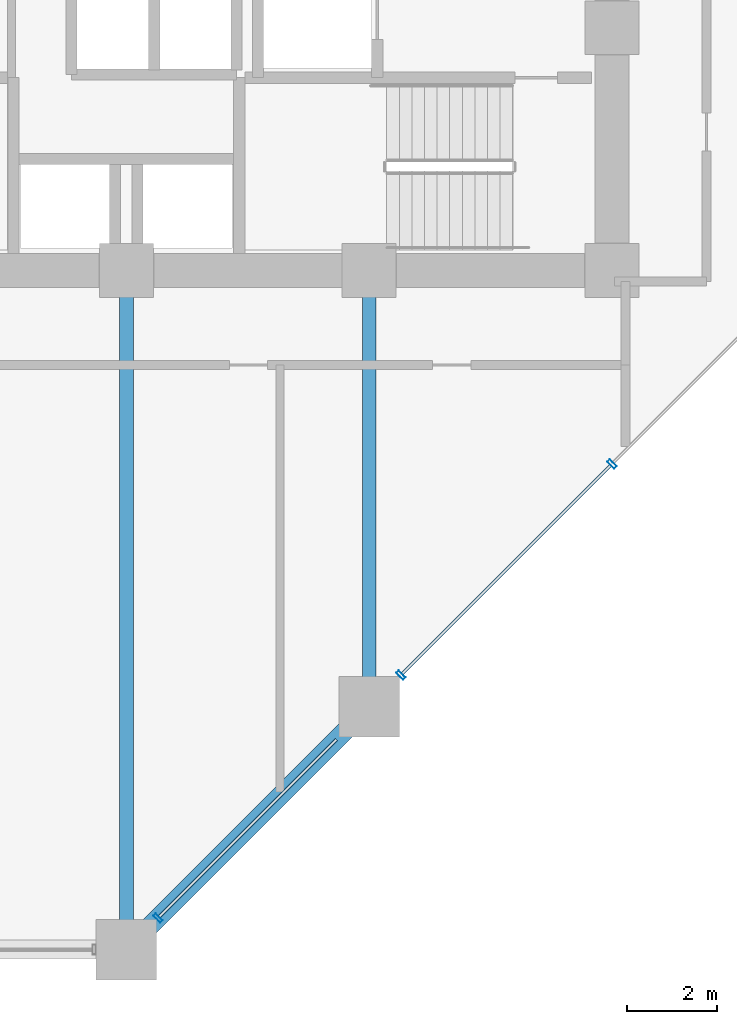
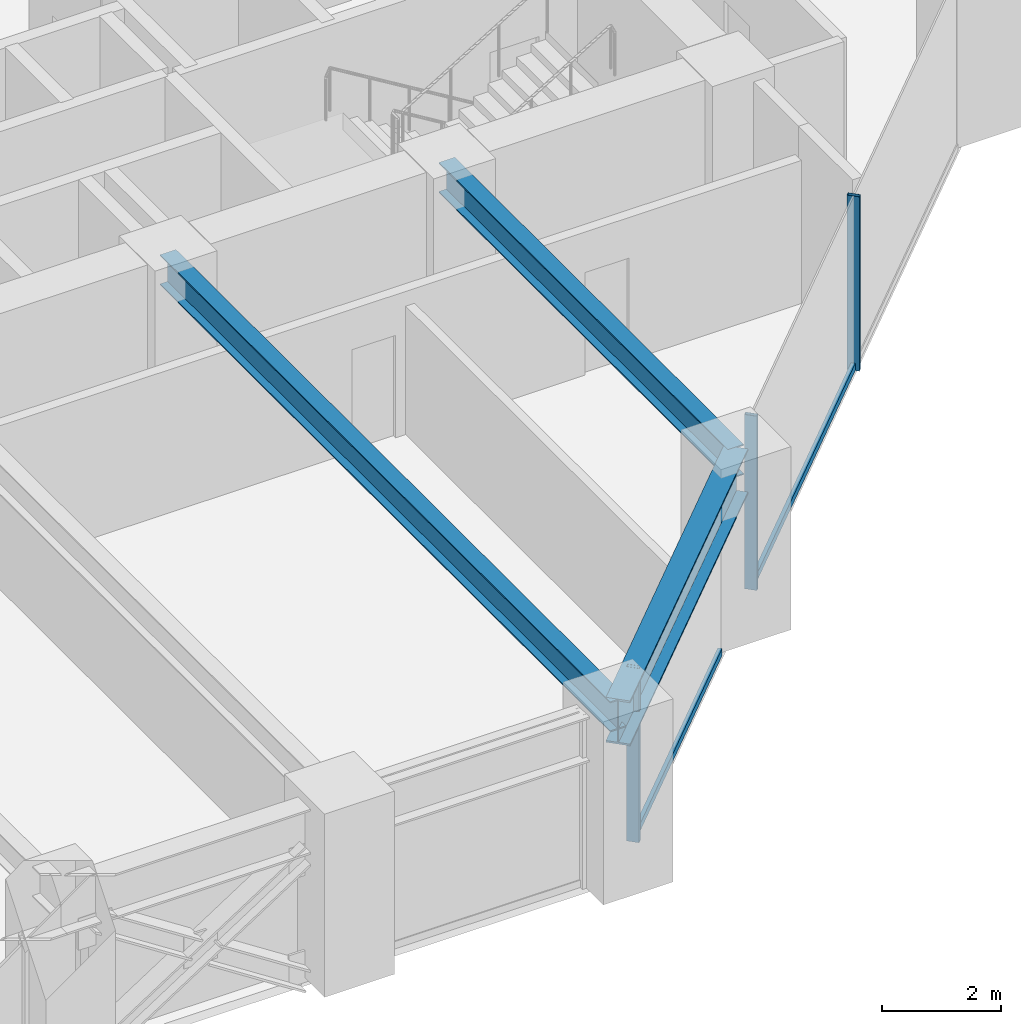
# One storey, part 7 of 24: 5 members, 3 beams, 1 element without a shape of its own.
"""IFC4 building model written with IfcOpenShell, lengths in metres."""

from ifc_helpers import new_model, si_unit, direction, frame, origin, origin_2d, place, context, subcontext, project, spatial, hollow_rectangle, i_section, extrude, material, layer, layer_set, material_profile, profile_set, type_object, element, aggregate, save


model = new_model("IFC4")

# Units and contexts
model_context = context("Model", 3, precision=1e-05, world=origin(), true_north=direction((0.0, 1.0)))
body_context = subcontext(model_context, "Body", "Model", "MODEL_VIEW")
ifc_project = project(units=[si_unit("LENGTHUNIT", "METRE"), si_unit("AREAUNIT", "SQUARE_METRE"), si_unit("VOLUMEUNIT", "CUBIC_METRE"), si_unit("PLANEANGLEUNIT", "RADIAN"), si_unit("MASSUNIT", "GRAM", prefix="KILO")], contexts=[model_context])

# Site, building, storey
site_placement = place(None, origin())
site = spatial("IfcSite", under=ifc_project, at=site_placement, CompositionType="ELEMENT")
building_placement = place(site_placement, origin())
building = spatial("IfcBuilding", under=site, at=building_placement, Name="Surkhivell Harbour Commons", CompositionType="ELEMENT")
storey_placement = place(building_placement, frame((0.0, 0.0, 30.0)))
storey = spatial("IfcBuildingStorey", under=building, at=storey_placement, Name="L07", CompositionType="ELEMENT", Elevation=30.0)

# Beams
ifc_material_1 = material(Name="Steel S355", Category="steel")
ifc_material_profile_1 = material_profile(ifc_material_1, i_section(OverallWidth=0.306884765625, OverallDepth=0.6201171875, WebThickness=0.01416015625, FlangeThickness=0.023681640625, at=origin_2d()), Name="UB610x305x179")
ifc_profile_set_1 = profile_set([ifc_material_profile_1], Name="Steel S355")
beam_type_1 = type_object("IfcBeamType", Name="BM-GRD-610A", PredefinedType="BEAM", material=ifc_profile_set_1)
beam_1_placement = place(storey_placement, frame((0.0, -25.89990234375, 3.260009765625), z_axis=(0.0, 1.0, 0.0), x_axis=(-1.0, 0.0, 0.0)))
element("IfcBeam", 1, at=beam_1_placement, inside=storey, type_object=beam_type_1, Name="L07 Floor Girder (0.0,-25.9)", PredefinedType="BEAM", context=body_context, shape_type="SweptSolid", body=[
    extrude(i_section(OverallWidth=0.306884765625, OverallDepth=0.6201171875, WebThickness=0.01416015625, FlangeThickness=0.023681640625, at=origin_2d()), origin(), (0.0, 0.0, 1.0), 15.099853515625),
])
beam_2_placement = place(storey_placement, frame((5.39990234375, -20.5, 3.260009765625), z_axis=(0.0, 1.0, 0.0), x_axis=(-1.0, 0.0, 0.0)))
element("IfcBeam", 2, at=beam_2_placement, inside=storey, type_object=beam_type_1, Name="L07 Floor Girder (5.4,-20.5)", PredefinedType="BEAM", context=body_context, shape_type="SweptSolid", body=[
    extrude(i_section(OverallWidth=0.306884765625, OverallDepth=0.6201171875, WebThickness=0.01416015625, FlangeThickness=0.023681640625, at=origin_2d()), origin(), (0.0, 0.0, 1.0), 9.699951171875),
])
ifc_material_2 = material(Name="Steel S460", Category="steel")
ifc_material_profile_2 = material_profile(ifc_material_2, i_section(OverallWidth=0.419921875, OverallDepth=0.9208984375, WebThickness=0.021484375, FlangeThickness=0.03662109375, at=origin_2d()), Name="UB914x419x388")
ifc_profile_set_2 = profile_set([ifc_material_profile_2], Name="Steel S460")
beam_type_2 = type_object("IfcBeamType", Name="BM-SPN-914A", PredefinedType="SPANDREL", material=ifc_profile_set_2)
beam_3_placement = place(storey_placement, frame((0.0, -25.89990234375, 3.109619140625), z_axis=(0.707106781187, 0.707106781187, 0.0), x_axis=(-0.707106781187, 0.707106781187, 0.0)))
element("IfcBeam", 3, at=beam_3_placement, inside=storey, type_object=beam_type_2, Name="L07 Tube Spandrel (-0.0,-25.9)", PredefinedType="SPANDREL", context=body_context, shape_type="SweptSolid", body=[
    extrude(i_section(OverallWidth=0.419921875, OverallDepth=0.9208984375, WebThickness=0.021484375, FlangeThickness=0.03662109375, at=origin_2d()), origin(), (0.0, 0.0, 1.0), 7.63671875),
])

# Curtain wall, members
ifc_material_3 = material(Name="Anodised pale-metal aluminium and insulated glazing", Category="aluminium")
ifc_layer = layer(ifc_material_3, 0.219970703125)
ifc_layer_set = layer_set([ifc_layer], Name="Anodised pale-metal aluminium and insulated glazing")
curtain_wall_type = type_object("IfcCurtainWallType", Name="CW-SYS-Z1", PredefinedType="NOTDEFINED", material=ifc_layer_set)
curtain_wall_placement = place(storey_placement, origin())
curtain_wall = element("IfcCurtainWall", 4, at=curtain_wall_placement, inside=storey, type_object=curtain_wall_type, Name="L07 Curtain Wall CW-L07-E01", PredefinedType="NOTDEFINED")
ifc_material_4 = material(Name="Anodised pale-metal aluminium alloy 6063-T6", Category="aluminium")
ifc_material_profile_3 = material_profile(ifc_material_4, hollow_rectangle(XDim=0.074951171875, YDim=0.219970703125, WallThickness=0.00390625, at=origin_2d()), Name="ALU-MULL-75x220")
ifc_profile_set_3 = profile_set([ifc_material_profile_3], Name="Anodised pale-metal aluminium alloy 6063-T6")
member_type_1 = type_object("IfcMemberType", Name="CWM-220", PredefinedType="MULLION", material=ifc_profile_set_3)
member_1_placement = place(storey_placement, frame((0.703369140625, -25.19677734375, 0.0), z_axis=(0.0, 0.0, 1.0), x_axis=(0.707106781187, 0.707106781187, 0.0)))
member_1 = element("IfcMember", 5, at=member_1_placement, type_object=member_type_1, Name="CW-Z1 mullion 1", PredefinedType="MULLION", context=body_context, shape_type="SweptSolid", body=[
    extrude(hollow_rectangle(XDim=0.074951171875, YDim=0.219970703125, WallThickness=0.00390625, at=origin_2d()), origin(), (0.0, 0.0, 1.0), 3.570068359375),
])
member_2_placement = place(storey_placement, frame((6.103271484375, -19.796630859375, 0.0), z_axis=(0.0, 0.0, 1.0), x_axis=(0.707106781187, 0.707106781187, 0.0)))
member_2 = element("IfcMember", 6, at=member_2_placement, type_object=member_type_1, Name="CW-Z1 mullion 2", PredefinedType="MULLION", context=body_context, shape_type="SweptSolid", body=[
    extrude(hollow_rectangle(XDim=0.074951171875, YDim=0.219970703125, WallThickness=0.00390625, at=origin_2d()), origin(), (0.0, 0.0, 1.0), 3.570068359375),
])
member_3_placement = place(storey_placement, frame((10.800048828125, -15.10009765625, 0.0), z_axis=(0.0, 0.0, 1.0), x_axis=(0.707106781187, 0.707106781187, 0.0)))
member_3 = element("IfcMember", 7, at=member_3_placement, type_object=member_type_1, Name="CW-Z1 mullion 3", PredefinedType="MULLION", context=body_context, shape_type="SweptSolid", body=[
    extrude(hollow_rectangle(XDim=0.074951171875, YDim=0.219970703125, WallThickness=0.00390625, at=origin_2d()), origin(), (0.0, 0.0, 1.0), 3.570068359375),
])
ifc_material_profile_4 = material_profile(ifc_material_4, hollow_rectangle(XDim=0.074951171875, YDim=0.14990234375, WallThickness=0.00341796875, at=origin_2d()), Name="ALU-TRAN-75x150")
ifc_profile_set_4 = profile_set([ifc_material_profile_4], Name="Anodised pale-metal aluminium alloy 6063-T6")
member_type_2 = type_object("IfcMemberType", Name="CWT-150", PredefinedType="USERDEFINED", material=ifc_profile_set_4)
member_4_placement = place(storey_placement, frame((0.729736328125, -25.170166015625, 0.074951171875), z_axis=(0.707106781187, 0.707106781187, 0.0), x_axis=(-0.707106781187, 0.707106781187, 0.0)))
member_4 = element("IfcMember", 8, at=member_4_placement, type_object=member_type_2, Name="CW-Z1 transom 1.1", ObjectType="TRANSOM", PredefinedType="USERDEFINED", context=body_context, shape_type="SweptSolid", body=[
    extrude(hollow_rectangle(XDim=0.074951171875, YDim=0.14990234375, WallThickness=0.00341796875, at=origin_2d()), origin(), (0.0, 0.0, 1.0), 5.572509765625),
])
member_5_placement = place(storey_placement, frame((6.1298828125, -19.770263671875, 0.074951171875), z_axis=(0.707088192925, 0.70712536896, 0.0), x_axis=(-0.70712536896, 0.707088192925, 0.0)))
member_5 = element("IfcMember", 9, at=member_5_placement, type_object=member_type_2, Name="CW-Z1 transom 2.1", ObjectType="TRANSOM", PredefinedType="USERDEFINED", context=body_context, shape_type="SweptSolid", body=[
    extrude(hollow_rectangle(XDim=0.074951171875, YDim=0.14990234375, WallThickness=0.00341796875, at=origin_2d()), origin(), (0.0, 0.0, 1.0), 6.567138671875),
])
aggregate(curtain_wall, [member_1, member_4, member_2, member_3, member_5])

save(model, "model.ifc")
